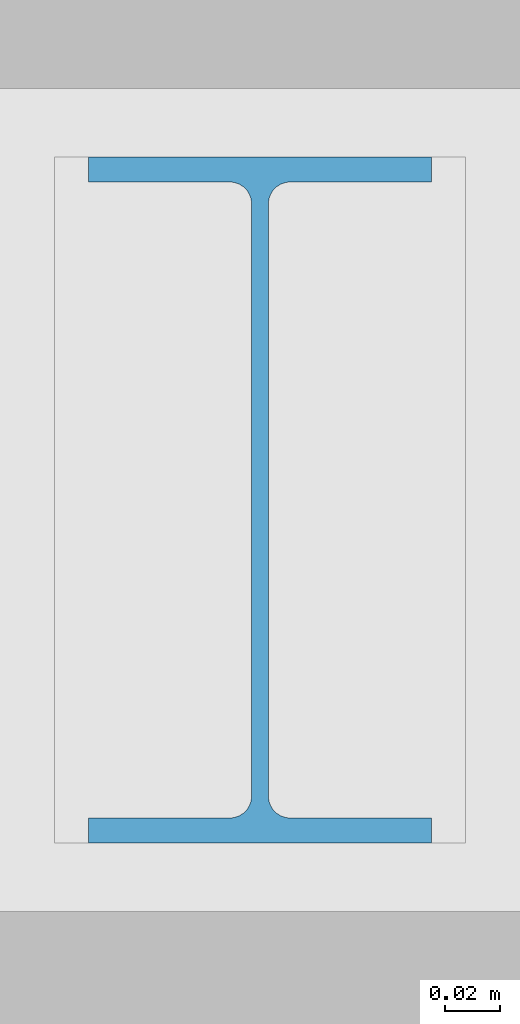
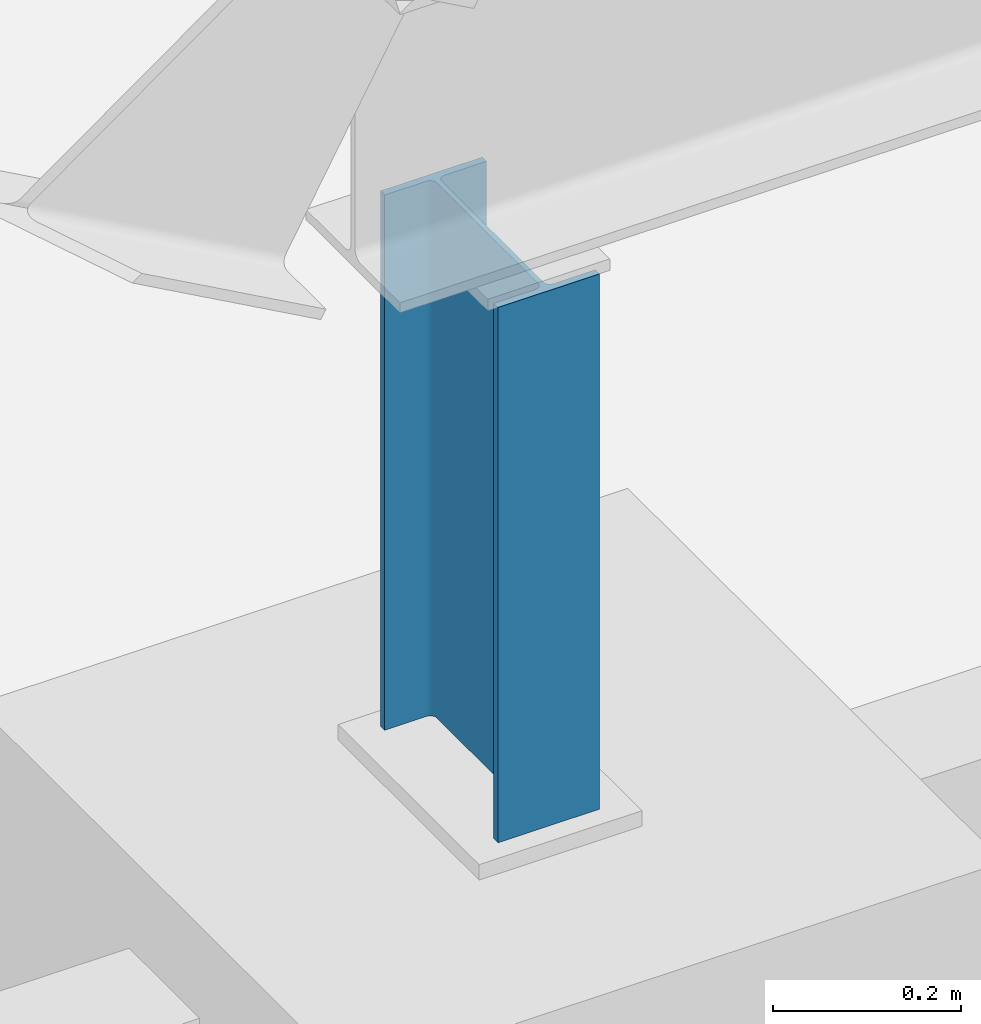
# One storey, part 223 of 437: 1 member.
"""IFC4 building model written with IfcOpenShell, lengths in metres."""

from ifc_helpers import new_model, si_unit, direction, frame, origin, origin_2d, place, context, subcontext, project, spatial, i_section, extrude, material, material_profile, profile_set, type_object, element, save


model = new_model("IFC4")

# Units and contexts
model_context = context("Model", 3, precision=1e-05, world=origin(), true_north=direction((0.0, 1.0)))
body_context = subcontext(model_context, "Body", "Model", "MODEL_VIEW")
ifc_project = project(units=[si_unit("LENGTHUNIT", "METRE"), si_unit("AREAUNIT", "SQUARE_METRE"), si_unit("VOLUMEUNIT", "CUBIC_METRE"), si_unit("PLANEANGLEUNIT", "RADIAN"), si_unit("MASSUNIT", "GRAM", prefix="KILO")], contexts=[model_context])

# Site, building, storey
site_placement = place(None, origin())
site = spatial("IfcSite", under=ifc_project, at=site_placement, CompositionType="ELEMENT")
building_placement = place(site_placement, origin())
building = spatial("IfcBuilding", under=site, at=building_placement, Name="Opaline Strait Convention Centre", CompositionType="ELEMENT")
storey_placement = place(building_placement, frame((0.0, 0.0, 11.5)))
storey = spatial("IfcBuildingStorey", under=building, at=storey_placement, Name="L02", CompositionType="ELEMENT", Elevation=11.5)

# Member
ifc_material = material(Name="Steel Q355B", Category="steel")
ifc_material_profile = material_profile(ifc_material, i_section(OverallWidth=0.125, OverallDepth=0.25, WebThickness=0.006103515625, FlangeThickness=0.009033203125, FilletRadius=0.008056640625, at=origin_2d()), Name="HN 250x125x6x9")
ifc_profile_set = profile_set([ifc_material_profile], Name="Steel Q355B")
member_type = type_object("IfcMemberType", Name="Roof post HN 250x125x6x9", PredefinedType="STRUT", material=ifc_profile_set)
member_placement = place(storey_placement, frame((54.0, 36.0, 4.68994140625), z_axis=(0.0, 0.0, 1.0), x_axis=(1.0, 0.0, 0.0)))
element("IfcMember", 1, at=member_placement, inside=storey, type_object=member_type, Name="RP1 roof post at 54/36", PredefinedType="STRUT", context=body_context, shape_type="SweptSolid", body=[
    extrude(i_section(OverallWidth=0.125, OverallDepth=0.25, WebThickness=0.006103515625, FlangeThickness=0.009033203125, FilletRadius=0.008056640625, at=origin_2d()), origin(), (0.0, 0.0, 1.0), 0.695068359375),
])

save(model, "model.ifc")
